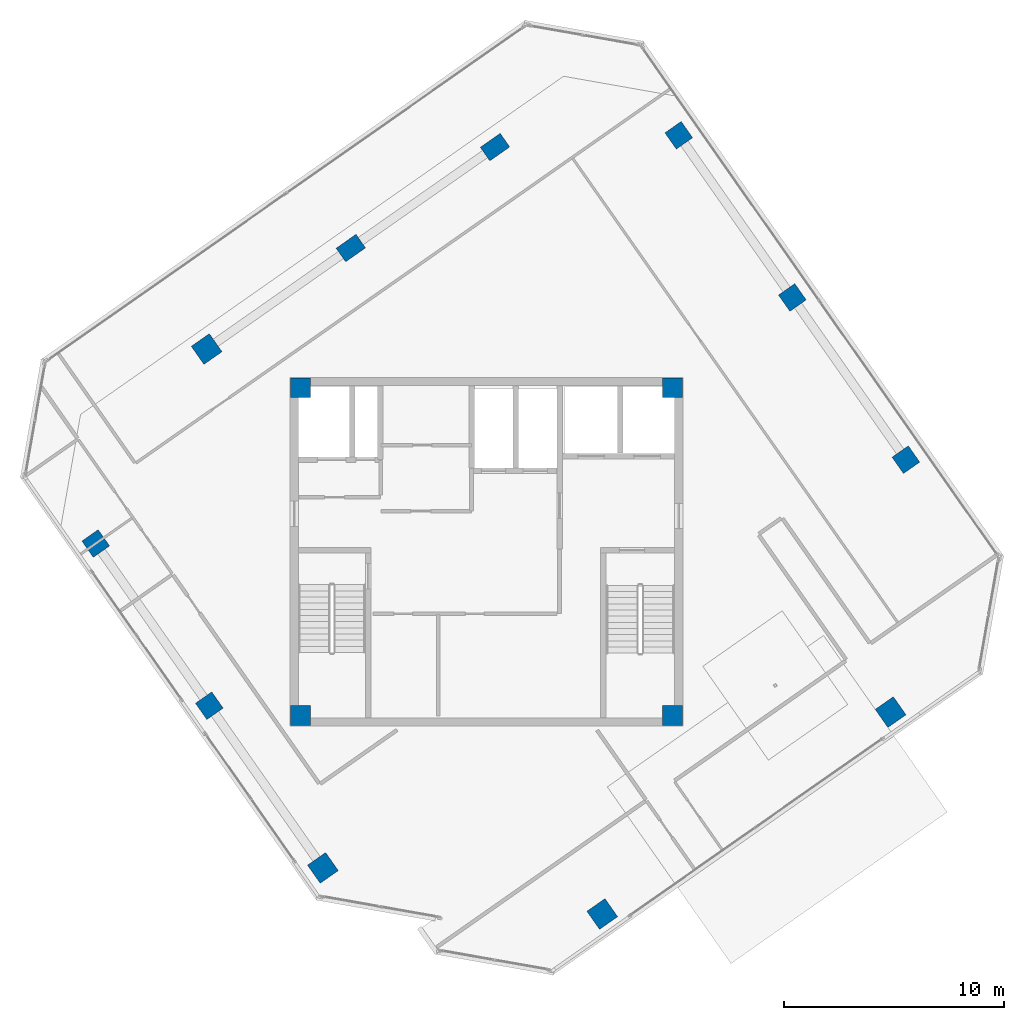
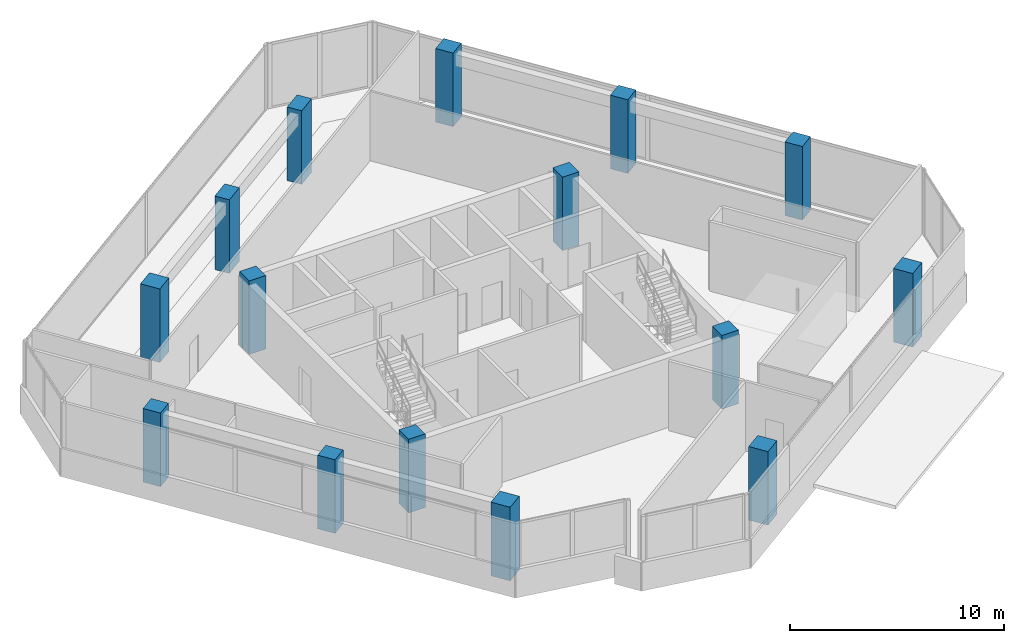
# One storey, part 1 of 17: 15 columns.
"""IFC4 building model written with IfcOpenShell, lengths in metres."""

from ifc_helpers import new_model, si_unit, direction, frame, origin, origin_2d, place, context, subcontext, project, spatial, rectangle, extrude, source, transform, mapped, material, material_profile, profile_set, type_object, element, save


model = new_model("IFC4")

# Units and contexts
model_context = context("Model", 3, precision=1e-05, world=origin(), true_north=direction((0.0, 1.0)))
body_context = subcontext(model_context, "Body", "Model", "MODEL_VIEW")
ifc_project = project(units=[si_unit("LENGTHUNIT", "METRE"), si_unit("AREAUNIT", "SQUARE_METRE"), si_unit("VOLUMEUNIT", "CUBIC_METRE"), si_unit("PLANEANGLEUNIT", "RADIAN"), si_unit("MASSUNIT", "GRAM", prefix="KILO")], contexts=[model_context])

# Site, building, storey
site_placement = place(None, origin())
site = spatial("IfcSite", under=ifc_project, at=site_placement, CompositionType="ELEMENT")
building_placement = place(site_placement, origin())
building = spatial("IfcBuilding", under=site, at=building_placement, Name="Torre Montelarca", CompositionType="ELEMENT")
storey_placement = place(building_placement, frame((0.0, 0.0, 298.800048828125)))
storey = spatial("IfcBuildingStorey", under=building, at=storey_placement, Name="L67", CompositionType="ELEMENT", Elevation=298.800048828125)

# Columns
ifc_material_1 = material(Name="Concrete C55/67", Category="concrete")
ifc_material_profile_1 = material_profile(ifc_material_1, rectangle(XDim=1.0, YDim=1.0, at=origin_2d()), Name="RC1000X1000", Category="concrete")
ifc_profile_set_1 = profile_set([ifc_material_profile_1], Name="Concrete C55/67")
column_type_1 = type_object("IfcColumnType", Name="COL-RC1000-EXT", PredefinedType="COLUMN", material=ifc_profile_set_1)
shared_shape_1 = source(origin(), body_context, "Body", "SweptSolid", [
    extrude(rectangle(XDim=1.0, YDim=1.0, at=origin_2d()), origin(), (0.0, 0.0, 1.0), 4.198486328125),
])
for number, where, z_axis, x_axis, name in (
    (1, (10.565185546875, 17.629150390625, 0.000732421875), (0.0, 0.0, 1.0), (-0.573576436351, 0.819152044289, 0.0), "L67 Column 4/CS"),
    (2, (23.263671875, 15.53369140625, 0.000732421875), (0.0, 0.0, 1.0), (-0.573576436351, 0.819152044289, 0.0), "L67 Column 5/D"),
    (3, (36.3701171875, 24.7109375, 0.000732421875), (0.0, 0.0, 1.0), (-0.573576436351, 0.819152044289, 0.0), "L67 Column 5/F"),
    (4, (5.281982421875, 41.214111328125, 0.000732421875), (0.0, 0.0, 1.0), (-0.573576436351, 0.819152044289, 0.0), "L67 Column 1W/D"),
):
    element("IfcColumn", number, at=place(storey_placement, frame(where, z_axis=z_axis, x_axis=x_axis)), inside=storey, type_object=column_type_1, Name=name, PredefinedType="COLUMN", context=body_context, shape_type="MappedRepresentation", body=[
        mapped(shared_shape_1, transform((0.0, 0.0, 0.0), scale=1.0)),
    ])
ifc_material_profile_2 = material_profile(ifc_material_1, rectangle(XDim=0.89990234375, YDim=0.89990234375, at=origin_2d()), Name="RC900X900", Category="concrete")
ifc_profile_set_2 = profile_set([ifc_material_profile_2], Name="Concrete C55/67")
column_type_2 = type_object("IfcColumnType", Name="COL-RC900", PredefinedType="COLUMN", material=ifc_profile_set_2)
shared_shape_2 = source(origin(), body_context, "Body", "SweptSolid", [
    extrude(rectangle(XDim=0.89990234375, YDim=0.89990234375, at=origin_2d()), origin(), (0.0, 0.0, 1.0), 4.198486328125),
])
for number, where, z_axis, x_axis, name in (
    (5, (9.550048828125, 24.550048828125, 0.000732421875), (0.0, 0.0, 1.0), (1.0, 0.0, 0.0), "L67 Plumb Core Corner Column 2D"),
    (6, (26.449951171875, 24.550048828125, 0.000732421875), (0.0, 0.0, 1.0), (1.0, 0.0, 0.0), "L67 Plumb Core Corner Column 4D"),
    (7, (9.550048828125, 39.449951171875, 0.000732421875), (0.0, 0.0, 1.0), (1.0, 0.0, 0.0), "L67 Plumb Core Corner Column 2F"),
    (8, (26.449951171875, 39.449951171875, 0.000732421875), (0.0, 0.0, 1.0), (1.0, 0.0, 0.0), "L67 Plumb Core Corner Column 4F"),
):
    element("IfcColumn", number, at=place(storey_placement, frame(where, z_axis=z_axis, x_axis=x_axis)), inside=storey, type_object=column_type_2, Name=name, PredefinedType="COLUMN", context=body_context, shape_type="MappedRepresentation", body=[
        mapped(shared_shape_2, transform((0.0, 0.0, 0.0), scale=1.0)),
    ])
ifc_material_2 = material(Name="Concrete C40/50", Category="concrete")
ifc_material_profile_3 = material_profile(ifc_material_2, rectangle(XDim=0.75, YDim=1.10009765625, at=origin_2d()), Name="RC1100X750", Category="concrete")
ifc_profile_set_3 = profile_set([ifc_material_profile_3], Name="Concrete C40/50")
column_type_3 = type_object("IfcColumnType", Name="COL-PIL1100-EXT", PredefinedType="PILASTER", material=ifc_profile_set_3)
shared_shape_3 = source(origin(), body_context, "Body", "SweptSolid", [
    extrude(rectangle(XDim=0.75, YDim=1.10009765625, at=origin_2d()), origin(), (0.0, 0.0, 1.0), 4.198486328125),
])
for number, where, z_axis, x_axis, name in (
    (9, (11.835205078125, 45.802734375, 0.000732421875), (0.0, 0.0, 1.0), (-0.573576436351, 0.819152044289, 0.0), "L67 Column 1W/E"),
    (10, (18.388427734375, 50.391357421875, 0.000732421875), (0.0, 0.0, 1.0), (-0.573576436351, 0.819152044289, 0.0), "L67 Column 1W/F"),
):
    element("IfcColumn", number, at=place(storey_placement, frame(where, z_axis=z_axis, x_axis=x_axis)), inside=storey, type_object=column_type_3, Name=name, PredefinedType="PILASTER", context=body_context, shape_type="MappedRepresentation", body=[
        mapped(shared_shape_3, transform((0.0, 0.0, 0.0), scale=1.0)),
    ])
ifc_material_profile_4 = material_profile(ifc_material_1, rectangle(XDim=0.89990234375, YDim=0.89990234375, at=origin_2d()), Name="RC900X900", Category="concrete")
ifc_profile_set_4 = profile_set([ifc_material_profile_4], Name="Concrete C55/67")
column_type_4 = type_object("IfcColumnType", Name="COL-RC900-EXT", PredefinedType="COLUMN", material=ifc_profile_set_4)
shared_shape_4 = source(origin(), body_context, "Body", "SweptSolid", [
    extrude(rectangle(XDim=0.89990234375, YDim=0.89990234375, at=origin_2d()), origin(), (0.0, 0.0, 1.0), 4.198486328125),
])
for number, where, z_axis, x_axis, name in (
    (11, (0.240966796875, 32.373779296875, 0.000732421875), (0.0, 0.0, 1.0), (-0.573576436351, 0.819152044289, 0.0), "L67 Column 2/CS"),
    (12, (26.740478515625, 50.92919921875, 0.000732421875), (0.0, 0.0, 1.0), (-0.573576436351, 0.819152044289, 0.0), "L67 Column 2/GN"),
    (13, (5.403076171875, 25.00146484375, 0.000732421875), (0.0, 0.0, 1.0), (-0.573576436351, 0.819152044289, 0.0), "L67 Column 3/CS"),
    (14, (31.902587890625, 43.556640625, 0.000732421875), (0.0, 0.0, 1.0), (-0.573576436351, 0.819152044289, 0.0), "L67 Column 3/GN"),
    (15, (37.064697265625, 36.184326171875, 0.000732421875), (0.0, 0.0, 1.0), (-0.573576436351, 0.819152044289, 0.0), "L67 Column 4/GN"),
):
    element("IfcColumn", number, at=place(storey_placement, frame(where, z_axis=z_axis, x_axis=x_axis)), inside=storey, type_object=column_type_4, Name=name, PredefinedType="COLUMN", context=body_context, shape_type="MappedRepresentation", body=[
        mapped(shared_shape_4, transform((0.0, 0.0, 0.0), scale=1.0)),
    ])

save(model, "model.ifc")
